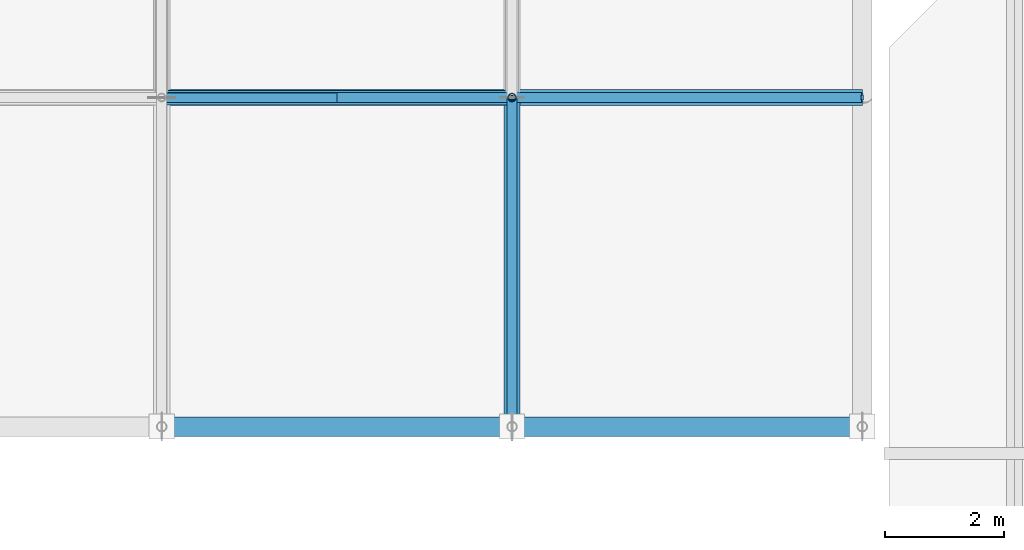
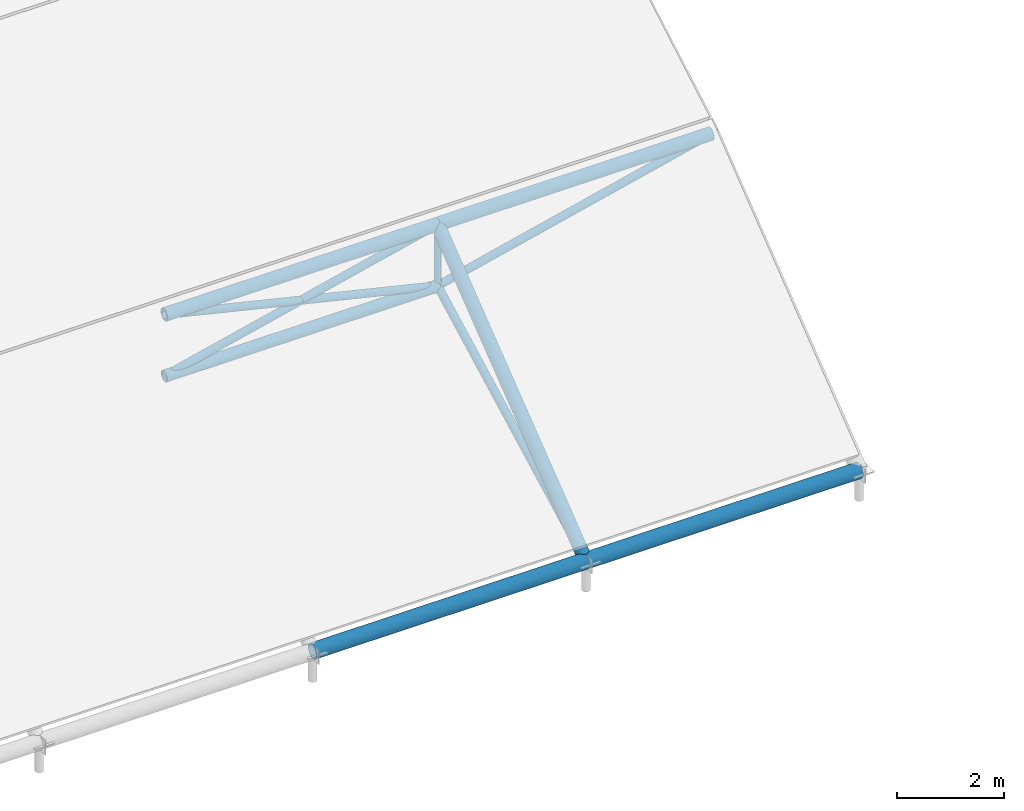
# One storey, part 5 of 82: 11 members.
"""IFC4 building model written with IfcOpenShell, lengths in metres."""

from ifc_helpers import new_model, si_unit, direction, frame, origin, origin_2d, place, context, subcontext, project, spatial, hollow_circle, extrude, material, material_profile, profile_set, type_object, element, save


model = new_model("IFC4")

# Units and contexts
model_context = context("Model", 3, precision=1e-05, world=origin(), true_north=direction((0.0, 1.0)))
body_context = subcontext(model_context, "Body", "Model", "MODEL_VIEW")
ifc_project = project(units=[si_unit("LENGTHUNIT", "METRE"), si_unit("AREAUNIT", "SQUARE_METRE"), si_unit("VOLUMEUNIT", "CUBIC_METRE"), si_unit("PLANEANGLEUNIT", "RADIAN"), si_unit("MASSUNIT", "GRAM", prefix="KILO")], contexts=[model_context])

# Site, building, storey
site_placement = place(None, origin())
site = spatial("IfcSite", under=ifc_project, at=site_placement, CompositionType="ELEMENT")
building_placement = place(site_placement, origin())
building = spatial("IfcBuilding", under=site, at=building_placement, Name="Bramfleet General Hospital", CompositionType="ELEMENT")
storey_placement = place(building_placement, frame((0.0, 0.0, 34.199951171875)))
storey = spatial("IfcBuildingStorey", under=building, at=storey_placement, Name="Roof", CompositionType="ELEMENT", Elevation=34.199951171875)

# Members
ifc_material = material(Name="Steel S355", Category="steel")
ifc_material_profile_1 = material_profile(ifc_material, hollow_circle(Radius=0.122314453125, WallThickness=0.012451171875, at=origin_2d()), Name="CHS 244.5x12.5")
ifc_profile_set_1 = profile_set([ifc_material_profile_1], Name="Steel S355")
member_type_1 = type_object("IfcMemberType", Name="MEM-SF-BC1", PredefinedType="CHORD", material=ifc_profile_set_1)
member_1_placement = place(storey_placement, frame((80.20703125, 22.7666015625, -16.550048828125), z_axis=(1.0, 0.0, 0.0), x_axis=(0.0, 1.0, 0.0)))
element("IfcMember", 1, at=member_1_placement, inside=storey, type_object=member_type_1, Name="Space Frame Bottom Chord X 5-1", PredefinedType="CHORD", context=body_context, shape_type="SweptSolid", body=[
    extrude(hollow_circle(Radius=0.122314453125, WallThickness=0.012451171875, at=origin_2d()), origin(), (0.0, 0.0, 1.0), 5.87158203125),
])
ifc_material_profile_2 = material_profile(ifc_material, hollow_circle(Radius=0.084228515625, WallThickness=0.008056640625, at=origin_2d()), Name="CHS 168.3x8.0")
ifc_profile_set_2 = profile_set([ifc_material_profile_2], Name="Steel S355")
member_type_2 = type_object("IfcMemberType", Name="MEM-SF-DG1", PredefinedType="STRUT", material=ifc_profile_set_2)
for number, where, z_axis, x_axis, name in (
    (2, (80.20703125, 22.7666015625, -16.550048828125), (0.972725871839, 0.0, 0.2319577079), (0.0, 1.0, 0.0), "Space Frame Web Strut 5-1-E"),
    (3, (86.07861328125, 22.7666015625, -16.550048828125), (-0.972725871839, 0.0, 0.2319577079), (0.0, -1.0, 0.0), "Space Frame Web Strut 6-1-W"),
):
    element("IfcMember", number, at=place(storey_placement, frame(where, z_axis=z_axis, x_axis=x_axis)), inside=storey, type_object=member_type_2, Name=name, PredefinedType="STRUT", context=body_context, shape_type="SweptSolid", body=[
        extrude(hollow_circle(Radius=0.084228515625, WallThickness=0.008056640625, at=origin_2d()), origin(), (0.0, 0.0, 1.0), 6.0361328125),
    ])
member_2_placement = place(storey_placement, frame((86.07861328125, 22.7666015625, -16.550048828125), z_axis=(0.97272369554, 0.0, 0.231966834127), x_axis=(0.0, 1.0, 0.0)))
element("IfcMember", 4, at=member_2_placement, inside=storey, type_object=member_type_2, Name="Space Frame Web Strut 6-1-E", PredefinedType="STRUT", context=body_context, shape_type="SweptSolid", body=[
    extrude(hollow_circle(Radius=0.084228515625, WallThickness=0.008056640625, at=origin_2d()), origin(), (0.0, 0.0, 1.0), 6.035888671875),
])
member_3_placement = place(storey_placement, frame((86.07861328125, 22.7666015625, -16.550048828125), z_axis=(0.0, -0.885154336521, -0.465297539794), x_axis=(1.0, 0.0, 0.0)))
element("IfcMember", 5, at=member_3_placement, inside=storey, type_object=member_type_2, Name="Space Frame Web Strut 6-1-S", PredefinedType="STRUT", context=body_context, shape_type="SweptSolid", body=[
    extrude(hollow_circle(Radius=0.084228515625, WallThickness=0.008056640625, at=origin_2d()), origin(), (0.0, 0.0, 1.0), 6.232421875),
])
ifc_material_profile_3 = material_profile(ifc_material, hollow_circle(Radius=0.06982421875, WallThickness=0.008056640625, at=origin_2d()), Name="CHS 139.7x8.0")
ifc_profile_set_3 = profile_set([ifc_material_profile_3], Name="Steel S355")
member_type_3 = type_object("IfcMemberType", Name="MEM-SF-DG2", PredefinedType="STRUT", material=ifc_profile_set_3)
member_4_placement = place(storey_placement, frame((86.07861328125, 22.7666015625, -16.550048828125), z_axis=(0.0, 0.0, 1.0), x_axis=(1.0, 0.0, 0.0)))
element("IfcMember", 6, at=member_4_placement, inside=storey, type_object=member_type_3, Name="Space Frame King Strut 6-1", PredefinedType="STRUT", context=body_context, shape_type="SweptSolid", body=[
    extrude(hollow_circle(Radius=0.06982421875, WallThickness=0.008056640625, at=origin_2d()), origin(), (0.0, 0.0, 1.0), 1.400146484375),
])
ifc_material_profile_4 = material_profile(ifc_material, hollow_circle(Radius=0.161865234375, WallThickness=0.012451171875, at=origin_2d()), Name="CHS 323.9x12.5")
ifc_profile_set_4 = profile_set([ifc_material_profile_4], Name="Steel S355")
member_type_4 = type_object("IfcMemberType", Name="MEM-SF-TC1", PredefinedType="CHORD", material=ifc_profile_set_4)
member_5_placement = place(storey_placement, frame((80.20703125, 17.25, -19.449951171875), z_axis=(1.0, 0.0, 0.0), x_axis=(0.0, 1.0, 0.0)))
element("IfcMember", 7, at=member_5_placement, inside=storey, type_object=member_type_4, Name="Space Frame Top Chord X 5-0", PredefinedType="CHORD", context=body_context, shape_type="SweptSolid", body=[
    extrude(hollow_circle(Radius=0.161865234375, WallThickness=0.012451171875, at=origin_2d()), origin(), (0.0, 0.0, 1.0), 5.87158203125),
])
member_6_placement = place(storey_placement, frame((86.07861328125, 17.25, -19.449951171875), z_axis=(1.0, 0.0, 0.0), x_axis=(0.0, 1.0, 0.0)))
element("IfcMember", 8, at=member_6_placement, inside=storey, type_object=member_type_4, Name="Space Frame Top Chord X 6-0", PredefinedType="CHORD", context=body_context, shape_type="SweptSolid", body=[
    extrude(hollow_circle(Radius=0.161865234375, WallThickness=0.012451171875, at=origin_2d()), origin(), (0.0, 0.0, 1.0), 5.871337890625),
])
ifc_material_profile_5 = material_profile(ifc_material, hollow_circle(Radius=0.136474609375, WallThickness=0.012451171875, at=origin_2d()), Name="CHS 273.0x12.5")
ifc_profile_set_5 = profile_set([ifc_material_profile_5], Name="Steel S355")
member_type_5 = type_object("IfcMemberType", Name="MEM-SF-TC2", PredefinedType="CHORD", material=ifc_profile_set_5)
member_7_placement = place(storey_placement, frame((80.20703125, 22.7666015625, -15.14990234375), z_axis=(1.0, 0.0, 0.0), x_axis=(0.0, 1.0, 0.0)))
element("IfcMember", 9, at=member_7_placement, inside=storey, type_object=member_type_5, Name="Space Frame Top Chord X 5-1", PredefinedType="CHORD", context=body_context, shape_type="SweptSolid", body=[
    extrude(hollow_circle(Radius=0.136474609375, WallThickness=0.012451171875, at=origin_2d()), origin(), (0.0, 0.0, 1.0), 5.87158203125),
])
member_8_placement = place(storey_placement, frame((86.07861328125, 22.7666015625, -15.14990234375), z_axis=(1.0, 0.0, 0.0), x_axis=(0.0, 1.0, 0.0)))
element("IfcMember", 10, at=member_8_placement, inside=storey, type_object=member_type_5, Name="Space Frame Top Chord X 6-1", PredefinedType="CHORD", context=body_context, shape_type="SweptSolid", body=[
    extrude(hollow_circle(Radius=0.136474609375, WallThickness=0.012451171875, at=origin_2d()), origin(), (0.0, 0.0, 1.0), 5.871337890625),
])
member_9_placement = place(storey_placement, frame((86.07861328125, 17.25, -19.449951171875), z_axis=(0.0, 0.788703357865, 0.614773953004), x_axis=(-1.0, 0.0, 0.0)))
element("IfcMember", 11, at=member_9_placement, inside=storey, type_object=member_type_5, Name="Space Frame Top Chord Y 6-0", PredefinedType="CHORD", context=body_context, shape_type="SweptSolid", body=[
    extrude(hollow_circle(Radius=0.136474609375, WallThickness=0.012451171875, at=origin_2d()), origin(), (0.0, 0.0, 1.0), 6.99462890625),
])

save(model, "model.ifc")
